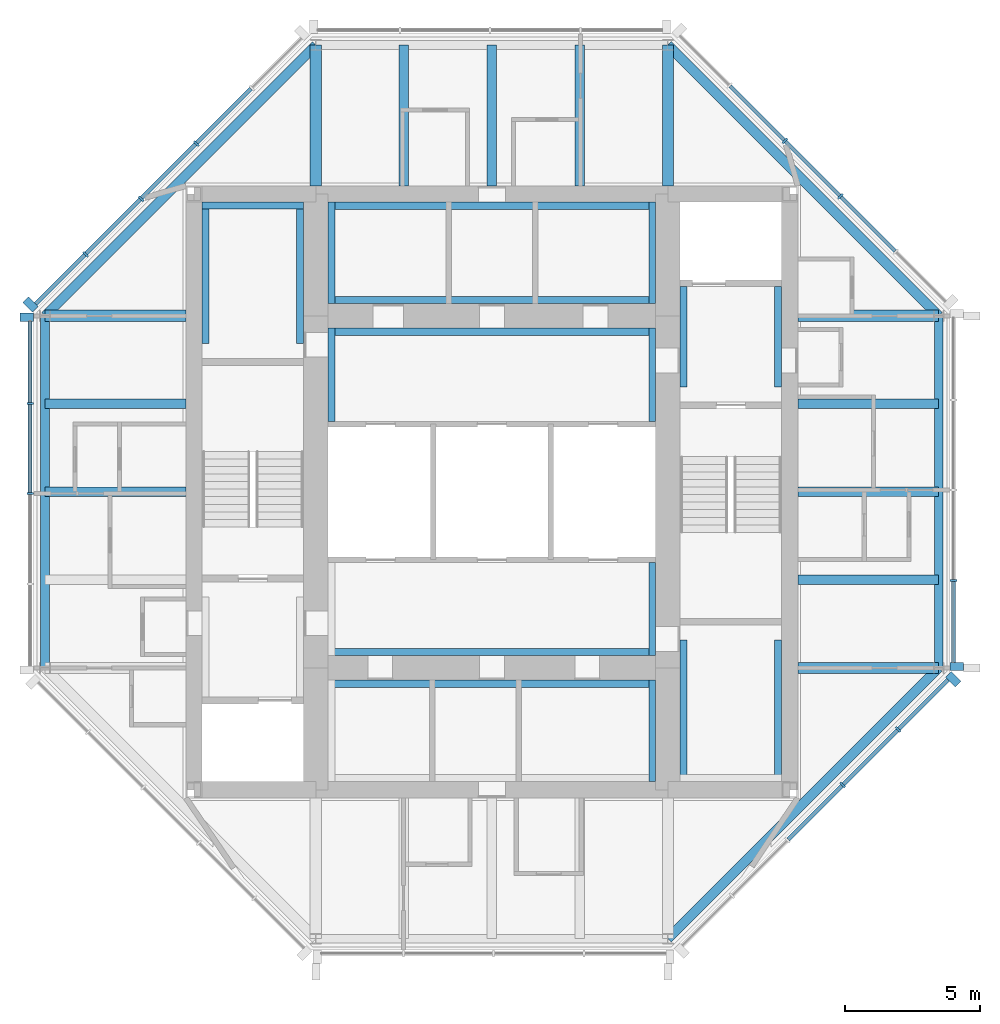
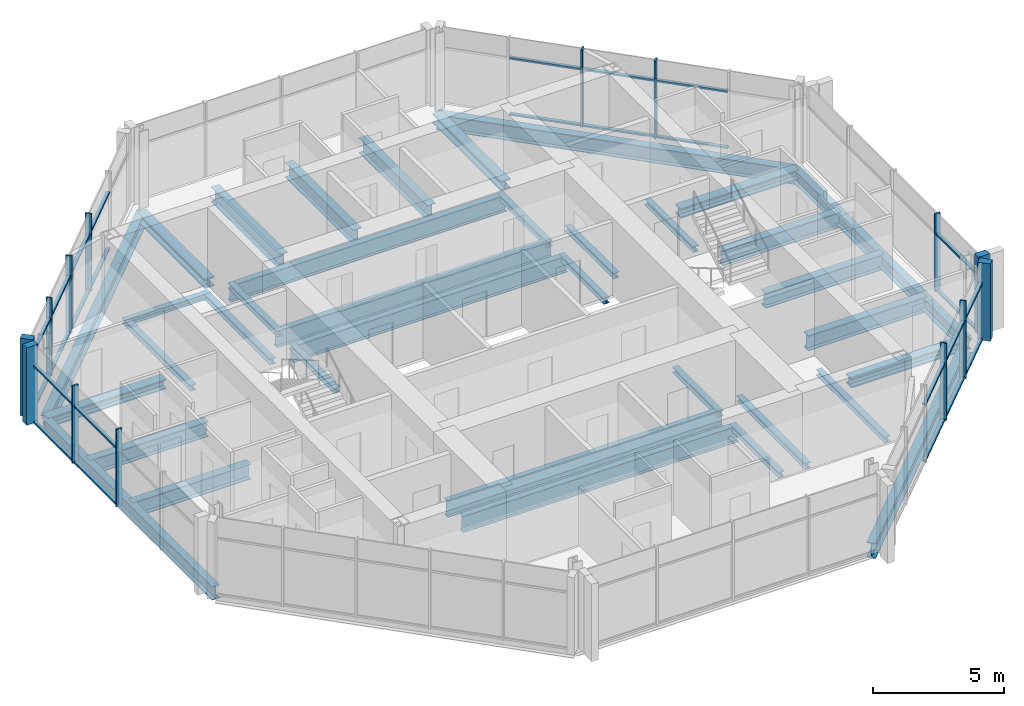
# One storey, part 2 of 9: 40 members, 36 beams, 5 elements without a shape of their own.
"""IFC4 building model written with IfcOpenShell, lengths in metres."""

from ifc_helpers import new_model, si_unit, direction, frame, origin, origin_2d, place, context, subcontext, project, spatial, rectangle, i_section, extrude, material, material_profile, profile_set, type_object, element, aggregate, save


model = new_model("IFC4")

# Units and contexts
model_context = context("Model", 3, precision=1e-05, world=origin(), true_north=direction((0.0, 1.0)))
body_context = subcontext(model_context, "Body", "Model", "MODEL_VIEW")
ifc_project = project(units=[si_unit("LENGTHUNIT", "METRE"), si_unit("AREAUNIT", "SQUARE_METRE"), si_unit("VOLUMEUNIT", "CUBIC_METRE"), si_unit("PLANEANGLEUNIT", "RADIAN"), si_unit("MASSUNIT", "GRAM", prefix="KILO")], contexts=[model_context])

# Site, building, storey
site_placement = place(None, origin())
site = spatial("IfcSite", under=ifc_project, at=site_placement, CompositionType="ELEMENT")
building_placement = place(site_placement, origin())
building = spatial("IfcBuilding", under=site, at=building_placement, Name="Trevanion Tower", CompositionType="ELEMENT")
storey_placement = place(building_placement, frame((0.0, 0.0, 284.800048828125)))
storey = spatial("IfcBuildingStorey", under=building, at=storey_placement, Name="L70", CompositionType="ELEMENT", Elevation=284.800048828125)

# Beams
ifc_material_1 = material(Name="Steel ASTM A992 Grade 50", Category="steel")
ifc_material_profile_1 = material_profile(ifc_material_1, i_section(OverallWidth=0.355712890625, OverallDepth=0.700927734375, WebThickness=0.016845703125, FlangeThickness=0.02734375, at=origin_2d()), Name="W27X161")
ifc_profile_set_1 = profile_set([ifc_material_profile_1], Name="Steel ASTM A992 Grade 50")
beam_type_1 = type_object("IfcBeamType", Name="B15 W27X161", PredefinedType="BEAM", material=ifc_profile_set_1)
for number, where, z_axis, x_axis, name in (
    (1, (11.300048828125, -3.25, -0.54052734375), (1.0, 0.0, 0.0), (0.0, 1.0, 0.0), "B15 L70"),
    (2, (11.300048828125, 0.0, -0.54052734375), (1.0, 0.0, 0.0), (0.0, 1.0, 0.0), "B15 L70"),
    (3, (11.300048828125, 3.25, -0.54052734375), (1.0, 0.0, 0.0), (0.0, 1.0, 0.0), "B15 L70"),
    (4, (3.25, 11.300048828125, -0.54052734375), (0.0, 1.0, 0.0), (-1.0, 0.0, 0.0), "B15 L70"),
    (5, (0.0, 11.300048828125, -0.54052734375), (0.0, 1.0, 0.0), (-1.0, 0.0, 0.0), "B15 L70"),
    (6, (-3.25, 11.300048828125, -0.54052734375), (0.0, 1.0, 0.0), (-1.0, 0.0, 0.0), "B15 L70"),
    (7, (-11.300048828125, 3.25, -0.54052734375), (-1.0, 0.0, 0.0), (0.0, -1.0, 0.0), "B15 L70"),
    (8, (-11.300048828125, 0.0, -0.54052734375), (-1.0, 0.0, 0.0), (0.0, -1.0, 0.0), "B15 L70"),
):
    element("IfcBeam", number, at=place(storey_placement, frame(where, z_axis=z_axis, x_axis=x_axis)), inside=storey, type_object=beam_type_1, Name=name, PredefinedType="BEAM", context=body_context, shape_type="SweptSolid", body=[
        extrude(i_section(OverallWidth=0.355712890625, OverallDepth=0.700927734375, WebThickness=0.016845703125, FlangeThickness=0.02734375, at=origin_2d()), origin(), (0.0, 0.0, 1.0), 5.199951171875),
    ])

# Curtain wall, member
ifc_material_2 = material(Name="Aluminium and glass", Category="aluminium")
curtain_wall_type = type_object("IfcCurtainWallType", Name="CW4 curtain wall", PredefinedType="USERDEFINED", material=ifc_material_2)
curtain_wall_1_placement = place(storey_placement, origin())
curtain_wall_1 = element("IfcCurtainWall", 9, at=curtain_wall_1_placement, inside=storey, type_object=curtain_wall_type, Name="CW4 L70 0", ObjectType="UNITISED CURTAIN WALL", PredefinedType="USERDEFINED")
ifc_material_3 = material(Name="Aluminium extrusion, anodised bronze", Category="aluminium")
ifc_material_profile_2 = material_profile(ifc_material_3, rectangle(XDim=0.074951171875, YDim=0.25, at=origin_2d()), Name="CW4 mullion")
ifc_profile_set_2 = profile_set([ifc_material_profile_2], Name="Aluminium extrusion, anodised bronze")
member_type_1 = type_object("IfcMemberType", Name="CW4 mullion", PredefinedType="MULLION", material=ifc_profile_set_2)
member_1_placement = place(storey_placement, frame((17.050048828125, -3.266357421875, -0.18994140625), z_axis=(0.0, 0.0, 1.0), x_axis=(0.0, 1.0, 0.0)))
member_1 = element("IfcMember", 10, at=member_1_placement, type_object=member_type_1, Name="CW4 mullion 2", PredefinedType="MULLION", context=body_context, shape_type="SweptSolid", body=[
    extrude(rectangle(XDim=0.074951171875, YDim=0.25, at=origin_2d()), origin(), (0.0, 0.0, 1.0), 3.599853515625),
])

# Curtain wall, members
curtain_wall_2_placement = place(storey_placement, origin())
curtain_wall_2 = element("IfcCurtainWall", 11, at=curtain_wall_2_placement, inside=storey, type_object=curtain_wall_type, Name="CW4 L70 1", ObjectType="UNITISED CURTAIN WALL", PredefinedType="USERDEFINED")
member_2_placement = place(storey_placement, frame((12.865966796875, 10.911865234375, -0.18994140625), z_axis=(0.0, 0.0, 1.0), x_axis=(-0.707106781187, 0.707106781187, 0.0)))
member_2 = element("IfcMember", 12, at=member_2_placement, type_object=member_type_1, Name="CW4 mullion 3", PredefinedType="MULLION", context=body_context, shape_type="SweptSolid", body=[
    extrude(rectangle(XDim=0.074951171875, YDim=0.25, at=origin_2d()), origin(), (0.0, 0.0, 1.0), 3.599853515625),
])
member_3_placement = place(storey_placement, frame((10.81982421875, 12.9580078125, -0.18994140625), z_axis=(0.0, 0.0, 1.0), x_axis=(-0.707106781187, 0.707106781187, 0.0)))
member_3 = element("IfcMember", 13, at=member_3_placement, type_object=member_type_1, Name="CW4 mullion 4", PredefinedType="MULLION", context=body_context, shape_type="SweptSolid", body=[
    extrude(rectangle(XDim=0.074951171875, YDim=0.25, at=origin_2d()), origin(), (0.0, 0.0, 1.0), 3.599853515625),
])

curtain_wall_3_placement = place(storey_placement, origin())
curtain_wall_3 = element("IfcCurtainWall", 14, at=curtain_wall_3_placement, inside=storey, type_object=curtain_wall_type, Name="CW4 L70 3", ObjectType="UNITISED CURTAIN WALL", PredefinedType="USERDEFINED")
member_4_placement = place(storey_placement, frame((-10.911865234375, 12.865966796875, -0.18994140625), z_axis=(0.0, 0.0, 1.0), x_axis=(-0.707106781187, -0.707106781187, 0.0)))
member_4 = element("IfcMember", 15, at=member_4_placement, type_object=member_type_1, Name="CW4 mullion 3", PredefinedType="MULLION", context=body_context, shape_type="SweptSolid", body=[
    extrude(rectangle(XDim=0.074951171875, YDim=0.25, at=origin_2d()), origin(), (0.0, 0.0, 1.0), 3.599853515625),
])
member_5_placement = place(storey_placement, frame((-12.9580078125, 10.81982421875, -0.18994140625), z_axis=(0.0, 0.0, 1.0), x_axis=(-0.707106781187, -0.707106781187, 0.0)))
member_5 = element("IfcMember", 16, at=member_5_placement, type_object=member_type_1, Name="CW4 mullion 4", PredefinedType="MULLION", context=body_context, shape_type="SweptSolid", body=[
    extrude(rectangle(XDim=0.074951171875, YDim=0.25, at=origin_2d()), origin(), (0.0, 0.0, 1.0), 3.599853515625),
])
member_6_placement = place(storey_placement, frame((-15.00390625, 8.77392578125, -0.18994140625), z_axis=(0.0, 0.0, 1.0), x_axis=(-0.707106781187, -0.707106781187, 0.0)))
member_6 = element("IfcMember", 17, at=member_6_placement, type_object=member_type_1, Name="CW4 mullion 5", PredefinedType="MULLION", context=body_context, shape_type="SweptSolid", body=[
    extrude(rectangle(XDim=0.074951171875, YDim=0.25, at=origin_2d()), origin(), (0.0, 0.0, 1.0), 3.599853515625),
])

curtain_wall_4_placement = place(storey_placement, origin())
curtain_wall_4 = element("IfcCurtainWall", 18, at=curtain_wall_4_placement, inside=storey, type_object=curtain_wall_type, Name="CW4 L70 4", ObjectType="UNITISED CURTAIN WALL", PredefinedType="USERDEFINED")
member_7_placement = place(storey_placement, frame((-17.050048828125, 3.266357421875, -0.18994140625), z_axis=(0.0, 0.0, 1.0), x_axis=(0.0, -1.0, 0.0)))
member_7 = element("IfcMember", 19, at=member_7_placement, type_object=member_type_1, Name="CW4 mullion 2", PredefinedType="MULLION", context=body_context, shape_type="SweptSolid", body=[
    extrude(rectangle(XDim=0.074951171875, YDim=0.25, at=origin_2d()), origin(), (0.0, 0.0, 1.0), 3.599853515625),
])
member_8_placement = place(storey_placement, frame((-17.050048828125, -0.06494140625, -0.18994140625), z_axis=(0.0, 0.0, 1.0), x_axis=(0.0, -1.0, 0.0)))
member_8 = element("IfcMember", 20, at=member_8_placement, type_object=member_type_1, Name="CW4 mullion 3", PredefinedType="MULLION", context=body_context, shape_type="SweptSolid", body=[
    extrude(rectangle(XDim=0.074951171875, YDim=0.25, at=origin_2d()), origin(), (0.0, 0.0, 1.0), 3.599853515625),
])

curtain_wall_5_placement = place(storey_placement, origin())
curtain_wall_5 = element("IfcCurtainWall", 21, at=curtain_wall_5_placement, inside=storey, type_object=curtain_wall_type, Name="CW4 L70 7", ObjectType="UNITISED CURTAIN WALL", PredefinedType="USERDEFINED")
member_9_placement = place(storey_placement, frame((12.9580078125, -10.81982421875, -0.18994140625), z_axis=(0.0, 0.0, 1.0), x_axis=(0.707106781187, 0.707106781187, 0.0)))
member_9 = element("IfcMember", 22, at=member_9_placement, type_object=member_type_1, Name="CW4 mullion 4", PredefinedType="MULLION", context=body_context, shape_type="SweptSolid", body=[
    extrude(rectangle(XDim=0.074951171875, YDim=0.25, at=origin_2d()), origin(), (0.0, 0.0, 1.0), 3.599853515625),
])
member_10_placement = place(storey_placement, frame((15.00390625, -8.77392578125, -0.18994140625), z_axis=(0.0, 0.0, 1.0), x_axis=(0.707106781187, 0.707106781187, 0.0)))
member_10 = element("IfcMember", 23, at=member_10_placement, type_object=member_type_1, Name="CW4 mullion 5", PredefinedType="MULLION", context=body_context, shape_type="SweptSolid", body=[
    extrude(rectangle(XDim=0.074951171875, YDim=0.25, at=origin_2d()), origin(), (0.0, 0.0, 1.0), 3.599853515625),
])

# Member
ifc_material_4 = material(Name="Aluminium extrusion, anodised bronze", Category="aluminium")
ifc_material_profile_3 = material_profile(ifc_material_4, rectangle(XDim=0.300048828125, YDim=0.5, at=origin_2d()), Name="CW4 pier mullion")
ifc_profile_set_3 = profile_set([ifc_material_profile_3], Name="Aluminium extrusion, anodised bronze")
member_type_2 = type_object("IfcMemberType", Name="CW4 pier mullion", PredefinedType="MULLION", material=ifc_profile_set_3)
member_11_placement = place(storey_placement, frame((17.175048828125, -6.44775390625, -0.18994140625), z_axis=(0.0, 0.0, 1.0), x_axis=(0.0, 1.0, 0.0)))
member_11 = element("IfcMember", 24, at=member_11_placement, type_object=member_type_2, Name="CW4 pier mullion 1", PredefinedType="MULLION", context=body_context, shape_type="SweptSolid", body=[
    extrude(rectangle(XDim=0.300048828125, YDim=0.5, at=origin_2d()), origin(), (0.0, 0.0, 1.0), 3.599853515625),
])

member_12_placement = place(storey_placement, frame((-17.0322265625, 6.92236328125, -0.18994140625), z_axis=(0.0, 0.0, 1.0), x_axis=(-0.707106781187, -0.707106781187, 0.0)))
member_12 = element("IfcMember", 25, at=member_12_placement, type_object=member_type_2, Name="CW4 pier mullion 6", PredefinedType="MULLION", context=body_context, shape_type="SweptSolid", body=[
    extrude(rectangle(XDim=0.300048828125, YDim=0.5, at=origin_2d()), origin(), (0.0, 0.0, 1.0), 3.599853515625),
])

member_13_placement = place(storey_placement, frame((-17.175048828125, 6.44775390625, -0.18994140625), z_axis=(0.0, 0.0, 1.0), x_axis=(0.0, -1.0, 0.0)))
member_13 = element("IfcMember", 26, at=member_13_placement, type_object=member_type_2, Name="CW4 pier mullion 1", PredefinedType="MULLION", context=body_context, shape_type="SweptSolid", body=[
    extrude(rectangle(XDim=0.300048828125, YDim=0.5, at=origin_2d()), origin(), (0.0, 0.0, 1.0), 3.599853515625),
])

member_14_placement = place(storey_placement, frame((17.0322265625, -6.92236328125, -0.18994140625), z_axis=(0.0, 0.0, 1.0), x_axis=(0.707106781187, 0.707106781187, 0.0)))
member_14 = element("IfcMember", 27, at=member_14_placement, type_object=member_type_2, Name="CW4 pier mullion 6", PredefinedType="MULLION", context=body_context, shape_type="SweptSolid", body=[
    extrude(rectangle(XDim=0.300048828125, YDim=0.5, at=origin_2d()), origin(), (0.0, 0.0, 1.0), 3.599853515625),
])

ifc_material_5 = material(Name="Aluminium extrusion, anodised bronze", Category="aluminium")
ifc_material_profile_4 = material_profile(ifc_material_5, rectangle(XDim=0.14990234375, YDim=0.074951171875, at=origin_2d()), Name="CW4 transom")
ifc_profile_set_4 = profile_set([ifc_material_profile_4], Name="Aluminium extrusion, anodised bronze")
member_type_3 = type_object("IfcMemberType", Name="CW4 transom", PredefinedType="USERDEFINED", material=ifc_profile_set_4)
member_15_placement = place(storey_placement, frame((17.050048828125, -6.2978515625, -0.152587890625), z_axis=(0.0, 1.0, 0.0), x_axis=(-1.0, 0.0, 0.0)))
member_15 = element("IfcMember", 28, at=member_15_placement, type_object=member_type_3, Name="CW4 transom 1.1", ObjectType="TRANSOM", PredefinedType="USERDEFINED", context=body_context, shape_type="SweptSolid", body=[
    extrude(rectangle(XDim=0.14990234375, YDim=0.074951171875, at=origin_2d()), origin(), (0.0, 0.0, 1.0), 2.993896484375),
])

member_16_placement = place(storey_placement, frame((17.050048828125, -6.2978515625, 2.4599609375), z_axis=(0.0, 1.0, 0.0), x_axis=(-1.0, 0.0, 0.0)))
member_16 = element("IfcMember", 29, at=member_16_placement, type_object=member_type_3, Name="CW4 transom 1.2", ObjectType="TRANSOM", PredefinedType="USERDEFINED", context=body_context, shape_type="SweptSolid", body=[
    extrude(rectangle(XDim=0.14990234375, YDim=0.074951171875, at=origin_2d()), origin(), (0.0, 0.0, 1.0), 2.993896484375),
])

aggregate(curtain_wall_1, [member_11, member_1, member_15, member_16])

member_17_placement = place(storey_placement, frame((14.885498046875, 8.892333984375, -0.152587890625), z_axis=(-0.707106781187, 0.707106781187, 0.0), x_axis=(-0.707106781187, -0.707106781187, 0.0)))
member_17 = element("IfcMember", 30, at=member_17_placement, type_object=member_type_3, Name="CW4 transom 2.1", ObjectType="TRANSOM", PredefinedType="USERDEFINED", context=body_context, shape_type="SweptSolid", body=[
    extrude(rectangle(XDim=0.14990234375, YDim=0.074951171875, at=origin_2d()), origin(), (0.0, 0.0, 1.0), 2.818359375),
])

member_18_placement = place(storey_placement, frame((14.885498046875, 8.892333984375, 2.4599609375), z_axis=(-0.707106781187, 0.707106781187, 0.0), x_axis=(-0.707106781187, -0.707106781187, 0.0)))
member_18 = element("IfcMember", 31, at=member_18_placement, type_object=member_type_3, Name="CW4 transom 2.2", ObjectType="TRANSOM", PredefinedType="USERDEFINED", context=body_context, shape_type="SweptSolid", body=[
    extrude(rectangle(XDim=0.14990234375, YDim=0.074951171875, at=origin_2d()), origin(), (0.0, 0.0, 1.0), 2.818359375),
])

member_19_placement = place(storey_placement, frame((12.839599609375, 10.9384765625, -0.152587890625), z_axis=(-0.707150088905, 0.707063470815, 0.0), x_axis=(-0.707063470815, -0.707150088905, 0.0)))
member_19 = element("IfcMember", 32, at=member_19_placement, type_object=member_type_3, Name="CW4 transom 3.1", ObjectType="TRANSOM", PredefinedType="USERDEFINED", context=body_context, shape_type="SweptSolid", body=[
    extrude(rectangle(XDim=0.14990234375, YDim=0.074951171875, at=origin_2d()), origin(), (0.0, 0.0, 1.0), 2.818603515625),
])

member_20_placement = place(storey_placement, frame((12.839599609375, 10.9384765625, 2.4599609375), z_axis=(-0.707150088905, 0.707063470815, 0.0), x_axis=(-0.707063470815, -0.707150088905, 0.0)))
member_20 = element("IfcMember", 33, at=member_20_placement, type_object=member_type_3, Name="CW4 transom 3.2", ObjectType="TRANSOM", PredefinedType="USERDEFINED", context=body_context, shape_type="SweptSolid", body=[
    extrude(rectangle(XDim=0.14990234375, YDim=0.074951171875, at=origin_2d()), origin(), (0.0, 0.0, 1.0), 2.818603515625),
])

member_21_placement = place(storey_placement, frame((10.79345703125, 12.984375, -0.152587890625), z_axis=(-0.707150088905, 0.707063470815, 0.0), x_axis=(-0.707063470815, -0.707150088905, 0.0)))
member_21 = element("IfcMember", 34, at=member_21_placement, type_object=member_type_3, Name="CW4 transom 4.1", ObjectType="TRANSOM", PredefinedType="USERDEFINED", context=body_context, shape_type="SweptSolid", body=[
    extrude(rectangle(XDim=0.14990234375, YDim=0.074951171875, at=origin_2d()), origin(), (0.0, 0.0, 1.0), 2.818603515625),
])

member_22_placement = place(storey_placement, frame((10.79345703125, 12.984375, 2.4599609375), z_axis=(-0.707150088905, 0.707063470815, 0.0), x_axis=(-0.707063470815, -0.707150088905, 0.0)))
member_22 = element("IfcMember", 35, at=member_22_placement, type_object=member_type_3, Name="CW4 transom 4.2", ObjectType="TRANSOM", PredefinedType="USERDEFINED", context=body_context, shape_type="SweptSolid", body=[
    extrude(rectangle(XDim=0.14990234375, YDim=0.074951171875, at=origin_2d()), origin(), (0.0, 0.0, 1.0), 2.818603515625),
])

aggregate(curtain_wall_2, [member_2, member_3, member_17, member_18, member_19, member_20, member_21, member_22])

member_23_placement = place(storey_placement, frame((-8.892333984375, 14.885498046875, -0.152587890625), z_axis=(-0.707106781187, -0.707106781187, 0.0), x_axis=(0.707106781187, -0.707106781187, 0.0)))
member_23 = element("IfcMember", 36, at=member_23_placement, type_object=member_type_3, Name="CW4 transom 2.1", ObjectType="TRANSOM", PredefinedType="USERDEFINED", context=body_context, shape_type="SweptSolid", body=[
    extrude(rectangle(XDim=0.14990234375, YDim=0.074951171875, at=origin_2d()), origin(), (0.0, 0.0, 1.0), 2.818359375),
])

member_24_placement = place(storey_placement, frame((-8.892333984375, 14.885498046875, 2.4599609375), z_axis=(-0.707106781187, -0.707106781187, 0.0), x_axis=(0.707106781187, -0.707106781187, 0.0)))
member_24 = element("IfcMember", 37, at=member_24_placement, type_object=member_type_3, Name="CW4 transom 2.2", ObjectType="TRANSOM", PredefinedType="USERDEFINED", context=body_context, shape_type="SweptSolid", body=[
    extrude(rectangle(XDim=0.14990234375, YDim=0.074951171875, at=origin_2d()), origin(), (0.0, 0.0, 1.0), 2.818359375),
])

member_25_placement = place(storey_placement, frame((-10.9384765625, 12.839599609375, -0.152587890625), z_axis=(-0.707063470815, -0.707150088905, 0.0), x_axis=(0.707150088905, -0.707063470815, 0.0)))
member_25 = element("IfcMember", 38, at=member_25_placement, type_object=member_type_3, Name="CW4 transom 3.1", ObjectType="TRANSOM", PredefinedType="USERDEFINED", context=body_context, shape_type="SweptSolid", body=[
    extrude(rectangle(XDim=0.14990234375, YDim=0.074951171875, at=origin_2d()), origin(), (0.0, 0.0, 1.0), 2.818603515625),
])

member_26_placement = place(storey_placement, frame((-10.9384765625, 12.839599609375, 2.4599609375), z_axis=(-0.707063470815, -0.707150088905, 0.0), x_axis=(0.707150088905, -0.707063470815, 0.0)))
member_26 = element("IfcMember", 39, at=member_26_placement, type_object=member_type_3, Name="CW4 transom 3.2", ObjectType="TRANSOM", PredefinedType="USERDEFINED", context=body_context, shape_type="SweptSolid", body=[
    extrude(rectangle(XDim=0.14990234375, YDim=0.074951171875, at=origin_2d()), origin(), (0.0, 0.0, 1.0), 2.818603515625),
])

member_27_placement = place(storey_placement, frame((-12.984375, 10.79345703125, -0.152587890625), z_axis=(-0.707063470815, -0.707150088905, 0.0), x_axis=(0.707150088905, -0.707063470815, 0.0)))
member_27 = element("IfcMember", 40, at=member_27_placement, type_object=member_type_3, Name="CW4 transom 4.1", ObjectType="TRANSOM", PredefinedType="USERDEFINED", context=body_context, shape_type="SweptSolid", body=[
    extrude(rectangle(XDim=0.14990234375, YDim=0.074951171875, at=origin_2d()), origin(), (0.0, 0.0, 1.0), 2.818603515625),
])

member_28_placement = place(storey_placement, frame((-12.984375, 10.79345703125, 2.4599609375), z_axis=(-0.707063470815, -0.707150088905, 0.0), x_axis=(0.707150088905, -0.707063470815, 0.0)))
member_28 = element("IfcMember", 41, at=member_28_placement, type_object=member_type_3, Name="CW4 transom 4.2", ObjectType="TRANSOM", PredefinedType="USERDEFINED", context=body_context, shape_type="SweptSolid", body=[
    extrude(rectangle(XDim=0.14990234375, YDim=0.074951171875, at=origin_2d()), origin(), (0.0, 0.0, 1.0), 2.818603515625),
])

member_29_placement = place(storey_placement, frame((-15.030517578125, 8.747314453125, -0.152587890625), z_axis=(-0.707106781187, -0.707106781187, 0.0), x_axis=(0.707106781187, -0.707106781187, 0.0)))
member_29 = element("IfcMember", 42, at=member_29_placement, type_object=member_type_3, Name="CW4 transom 5.1", ObjectType="TRANSOM", PredefinedType="USERDEFINED", context=body_context, shape_type="SweptSolid", body=[
    extrude(rectangle(XDim=0.14990234375, YDim=0.074951171875, at=origin_2d()), origin(), (0.0, 0.0, 1.0), 2.555908203125),
])

member_30_placement = place(storey_placement, frame((-15.030517578125, 8.747314453125, 2.4599609375), z_axis=(-0.707106781187, -0.707106781187, 0.0), x_axis=(0.707106781187, -0.707106781187, 0.0)))
member_30 = element("IfcMember", 43, at=member_30_placement, type_object=member_type_3, Name="CW4 transom 5.2", ObjectType="TRANSOM", PredefinedType="USERDEFINED", context=body_context, shape_type="SweptSolid", body=[
    extrude(rectangle(XDim=0.14990234375, YDim=0.074951171875, at=origin_2d()), origin(), (0.0, 0.0, 1.0), 2.555908203125),
])

aggregate(curtain_wall_3, [member_4, member_5, member_6, member_12, member_23, member_24, member_25, member_26, member_27, member_28, member_29, member_30])

member_31_placement = place(storey_placement, frame((-17.050048828125, 6.2978515625, -0.152587890625), z_axis=(0.0, -1.0, 0.0), x_axis=(1.0, 0.0, 0.0)))
member_31 = element("IfcMember", 44, at=member_31_placement, type_object=member_type_3, Name="CW4 transom 1.1", ObjectType="TRANSOM", PredefinedType="USERDEFINED", context=body_context, shape_type="SweptSolid", body=[
    extrude(rectangle(XDim=0.14990234375, YDim=0.074951171875, at=origin_2d()), origin(), (0.0, 0.0, 1.0), 2.993896484375),
])

member_32_placement = place(storey_placement, frame((-17.050048828125, 6.2978515625, 2.4599609375), z_axis=(0.0, -1.0, 0.0), x_axis=(1.0, 0.0, 0.0)))
member_32 = element("IfcMember", 45, at=member_32_placement, type_object=member_type_3, Name="CW4 transom 1.2", ObjectType="TRANSOM", PredefinedType="USERDEFINED", context=body_context, shape_type="SweptSolid", body=[
    extrude(rectangle(XDim=0.14990234375, YDim=0.074951171875, at=origin_2d()), origin(), (0.0, 0.0, 1.0), 2.993896484375),
])

member_33_placement = place(storey_placement, frame((-17.050048828125, 3.22900390625, -0.152587890625), z_axis=(0.0, -1.0, 0.0), x_axis=(1.0, 0.0, 0.0)))
member_33 = element("IfcMember", 46, at=member_33_placement, type_object=member_type_3, Name="CW4 transom 2.1", ObjectType="TRANSOM", PredefinedType="USERDEFINED", context=body_context, shape_type="SweptSolid", body=[
    extrude(rectangle(XDim=0.14990234375, YDim=0.074951171875, at=origin_2d()), origin(), (0.0, 0.0, 1.0), 3.256591796875),
])

member_34_placement = place(storey_placement, frame((-17.050048828125, 3.22900390625, 2.4599609375), z_axis=(0.0, -1.0, 0.0), x_axis=(1.0, 0.0, 0.0)))
member_34 = element("IfcMember", 47, at=member_34_placement, type_object=member_type_3, Name="CW4 transom 2.2", ObjectType="TRANSOM", PredefinedType="USERDEFINED", context=body_context, shape_type="SweptSolid", body=[
    extrude(rectangle(XDim=0.14990234375, YDim=0.074951171875, at=origin_2d()), origin(), (0.0, 0.0, 1.0), 3.256591796875),
])

aggregate(curtain_wall_4, [member_13, member_7, member_8, member_31, member_32, member_33, member_34])

member_35_placement = place(storey_placement, frame((10.9384765625, -12.839599609375, -0.152587890625), z_axis=(0.707063470815, 0.707150088905, 0.0), x_axis=(-0.707150088905, 0.707063470815, 0.0)))
member_35 = element("IfcMember", 48, at=member_35_placement, type_object=member_type_3, Name="CW4 transom 3.1", ObjectType="TRANSOM", PredefinedType="USERDEFINED", context=body_context, shape_type="SweptSolid", body=[
    extrude(rectangle(XDim=0.14990234375, YDim=0.074951171875, at=origin_2d()), origin(), (0.0, 0.0, 1.0), 2.818603515625),
])

member_36_placement = place(storey_placement, frame((10.9384765625, -12.839599609375, 2.4599609375), z_axis=(0.707063470815, 0.707150088905, 0.0), x_axis=(-0.707150088905, 0.707063470815, 0.0)))
member_36 = element("IfcMember", 49, at=member_36_placement, type_object=member_type_3, Name="CW4 transom 3.2", ObjectType="TRANSOM", PredefinedType="USERDEFINED", context=body_context, shape_type="SweptSolid", body=[
    extrude(rectangle(XDim=0.14990234375, YDim=0.074951171875, at=origin_2d()), origin(), (0.0, 0.0, 1.0), 2.818603515625),
])

member_37_placement = place(storey_placement, frame((12.984375, -10.79345703125, -0.152587890625), z_axis=(0.707063470815, 0.707150088905, 0.0), x_axis=(-0.707150088905, 0.707063470815, 0.0)))
member_37 = element("IfcMember", 50, at=member_37_placement, type_object=member_type_3, Name="CW4 transom 4.1", ObjectType="TRANSOM", PredefinedType="USERDEFINED", context=body_context, shape_type="SweptSolid", body=[
    extrude(rectangle(XDim=0.14990234375, YDim=0.074951171875, at=origin_2d()), origin(), (0.0, 0.0, 1.0), 2.818603515625),
])

member_38_placement = place(storey_placement, frame((12.984375, -10.79345703125, 2.4599609375), z_axis=(0.707063470815, 0.707150088905, 0.0), x_axis=(-0.707150088905, 0.707063470815, 0.0)))
member_38 = element("IfcMember", 51, at=member_38_placement, type_object=member_type_3, Name="CW4 transom 4.2", ObjectType="TRANSOM", PredefinedType="USERDEFINED", context=body_context, shape_type="SweptSolid", body=[
    extrude(rectangle(XDim=0.14990234375, YDim=0.074951171875, at=origin_2d()), origin(), (0.0, 0.0, 1.0), 2.818603515625),
])

member_39_placement = place(storey_placement, frame((15.030517578125, -8.747314453125, -0.152587890625), z_axis=(0.707106781187, 0.707106781187, 0.0), x_axis=(-0.707106781187, 0.707106781187, 0.0)))
member_39 = element("IfcMember", 52, at=member_39_placement, type_object=member_type_3, Name="CW4 transom 5.1", ObjectType="TRANSOM", PredefinedType="USERDEFINED", context=body_context, shape_type="SweptSolid", body=[
    extrude(rectangle(XDim=0.14990234375, YDim=0.074951171875, at=origin_2d()), origin(), (0.0, 0.0, 1.0), 2.555908203125),
])

member_40_placement = place(storey_placement, frame((15.030517578125, -8.747314453125, 2.4599609375), z_axis=(0.707106781187, 0.707106781187, 0.0), x_axis=(-0.707106781187, 0.707106781187, 0.0)))
member_40 = element("IfcMember", 53, at=member_40_placement, type_object=member_type_3, Name="CW4 transom 5.2", ObjectType="TRANSOM", PredefinedType="USERDEFINED", context=body_context, shape_type="SweptSolid", body=[
    extrude(rectangle(XDim=0.14990234375, YDim=0.074951171875, at=origin_2d()), origin(), (0.0, 0.0, 1.0), 2.555908203125),
])

aggregate(curtain_wall_5, [member_9, member_10, member_14, member_35, member_36, member_37, member_38, member_39, member_40])

# Beams
ifc_material_6 = material(Name="Steel ASTM A992 Grade 50", Category="steel")
ifc_material_profile_5 = material_profile(ifc_material_6, i_section(OverallWidth=0.41650390625, OverallDepth=0.444580078125, WebThickness=0.0390625, FlangeThickness=0.062744140625, at=origin_2d()), Name="W14X342")
ifc_profile_set_5 = profile_set([ifc_material_profile_5], Name="Steel ASTM A992 Grade 50")
beam_type_2 = type_object("IfcBeamType", Name="G8 W14X342", PredefinedType="BEAM", material=ifc_profile_set_5)
for number, where, z_axis, x_axis, name in (
    (54, (11.300048828125, -6.5, -0.412353515625), (1.0, 0.0, 0.0), (0.0, 1.0, 0.0), "G8 L70"),
    (55, (11.300048828125, 6.5, -0.412353515625), (1.0, 0.0, 0.0), (0.0, 1.0, 0.0), "G8 L70"),
    (56, (6.5, 11.300048828125, -0.412353515625), (0.0, 1.0, 0.0), (-1.0, 0.0, 0.0), "G8 L70"),
    (57, (-6.5, 11.300048828125, -0.412353515625), (0.0, 1.0, 0.0), (-1.0, 0.0, 0.0), "G8 L70"),
    (58, (-11.300048828125, 6.5, -0.412353515625), (-1.0, 0.0, 0.0), (0.0, -1.0, 0.0), "G8 L70"),
):
    element("IfcBeam", number, at=place(storey_placement, frame(where, z_axis=z_axis, x_axis=x_axis)), inside=storey, type_object=beam_type_2, Name=name, PredefinedType="BEAM", context=body_context, shape_type="SweptSolid", body=[
        extrude(i_section(OverallWidth=0.41650390625, OverallDepth=0.444580078125, WebThickness=0.0390625, FlangeThickness=0.062744140625, at=origin_2d()), origin(), (0.0, 0.0, 1.0), 5.199951171875),
    ])
ifc_material_7 = material(Name="Steel ASTM A992 Grade 50", Category="steel")
ifc_material_profile_6 = material_profile(ifc_material_7, i_section(OverallWidth=0.256591796875, OverallDepth=0.26416015625, WebThickness=0.011962890625, FlangeThickness=0.01953125, at=origin_2d()), Name="W10X68")
ifc_profile_set_6 = profile_set([ifc_material_profile_6], Name="Steel ASTM A992 Grade 50")
beam_type_3 = type_object("IfcBeamType", Name="LB1 W10X68", PredefinedType="BEAM", material=ifc_profile_set_6)
for number, where, z_axis, x_axis, name in (
    (59, (-5.921630859375, 2.60009765625, -0.33203125), (0.0, 1.0, 0.0), (-1.0, 0.0, 0.0), "LB1 L70"),
    (60, (5.921630859375, 2.60009765625, -0.33203125), (0.0, 1.0, 0.0), (-1.0, 0.0, 0.0), "LB1 L70"),
    (61, (5.921630859375, -6.050048828125, -0.33203125), (0.0, 1.0, 0.0), (-1.0, 0.0, 0.0), "LB1 L70"),
):
    element("IfcBeam", number, at=place(storey_placement, frame(where, z_axis=z_axis, x_axis=x_axis)), inside=storey, type_object=beam_type_3, Name=name, PredefinedType="BEAM", context=body_context, shape_type="SweptSolid", body=[
        extrude(i_section(OverallWidth=0.256591796875, OverallDepth=0.26416015625, WebThickness=0.011962890625, FlangeThickness=0.01953125, at=origin_2d()), origin(), (0.0, 0.0, 1.0), 3.449951171875),
    ])
for number, where, z_axis, x_axis, name in (
    (62, (7.078369140625, 3.875, -0.33203125), (0.0, 1.0, 0.0), (-1.0, 0.0, 0.0), "LB1 L70"),
    (63, (10.57177734375, 3.875, -0.33203125), (0.0, 1.0, 0.0), (-1.0, 0.0, 0.0), "LB1 L70"),
):
    element("IfcBeam", number, at=place(storey_placement, frame(where, z_axis=z_axis, x_axis=x_axis)), inside=storey, type_object=beam_type_3, Name=name, PredefinedType="BEAM", context=body_context, shape_type="SweptSolid", body=[
        extrude(i_section(OverallWidth=0.256591796875, OverallDepth=0.26416015625, WebThickness=0.011962890625, FlangeThickness=0.01953125, at=origin_2d()), origin(), (0.0, 0.0, 1.0), 3.699951171875),
    ])
for number, where, z_axis, x_axis, name in (
    (64, (7.078369140625, -10.699951171875, -0.33203125), (0.0, 1.0, 0.0), (-1.0, 0.0, 0.0), "LB1 L70"),
    (65, (10.57177734375, -10.699951171875, -0.33203125), (0.0, 1.0, 0.0), (-1.0, 0.0, 0.0), "LB1 L70"),
    (66, (-10.57177734375, 5.47509765625, -0.33203125), (0.0, 1.0, 0.0), (-1.0, 0.0, 0.0), "LB1 L70"),
    (67, (-7.078369140625, 5.47509765625, -0.33203125), (0.0, 1.0, 0.0), (-1.0, 0.0, 0.0), "LB1 L70"),
):
    element("IfcBeam", number, at=place(storey_placement, frame(where, z_axis=z_axis, x_axis=x_axis)), inside=storey, type_object=beam_type_3, Name=name, PredefinedType="BEAM", context=body_context, shape_type="SweptSolid", body=[
        extrude(i_section(OverallWidth=0.256591796875, OverallDepth=0.26416015625, WebThickness=0.011962890625, FlangeThickness=0.01953125, at=origin_2d()), origin(), (0.0, 0.0, 1.0), 5.224853515625),
    ])
for number, where, z_axis, x_axis, name in (
    (68, (-10.699951171875, 10.57177734375, -0.33203125), (1.0, 0.0, 0.0), (0.0, 1.0, 0.0), "LB1 L70"),
    (69, (-5.921630859375, 6.949951171875, -0.33203125), (0.0, 1.0, 0.0), (-1.0, 0.0, 0.0), "LB1 L70"),
    (70, (5.921630859375, 6.949951171875, -0.33203125), (0.0, 1.0, 0.0), (-1.0, 0.0, 0.0), "LB1 L70"),
    (71, (5.921630859375, -10.699951171875, -0.33203125), (0.0, 1.0, 0.0), (-1.0, 0.0, 0.0), "LB1 L70"),
):
    element("IfcBeam", number, at=place(storey_placement, frame(where, z_axis=z_axis, x_axis=x_axis)), inside=storey, type_object=beam_type_3, Name=name, PredefinedType="BEAM", context=body_context, shape_type="SweptSolid", body=[
        extrude(i_section(OverallWidth=0.256591796875, OverallDepth=0.26416015625, WebThickness=0.011962890625, FlangeThickness=0.01953125, at=origin_2d()), origin(), (0.0, 0.0, 1.0), 3.75),
    ])
ifc_material_8 = material(Name="Steel ASTM A992 Grade 50", Category="steel")
ifc_material_profile_7 = material_profile(ifc_material_8, i_section(OverallWidth=0.2666015625, OverallDepth=0.76953125, WebThickness=0.015625, FlangeThickness=0.025390625, at=origin_2d()), Name="W30X132")
ifc_profile_set_7 = profile_set([ifc_material_profile_7], Name="Steel ASTM A992 Grade 50")
beam_type_4 = type_object("IfcBeamType", Name="LB3 W30X132", PredefinedType="BEAM", material=ifc_profile_set_7)
for number, where, z_axis, x_axis, name in (
    (72, (-6.050048828125, 5.91650390625, -0.5849609375), (1.0, 0.0, 0.0), (0.0, 1.0, 0.0), "LB3 L70"),
    (73, (-6.050048828125, -5.91650390625, -0.5849609375), (1.0, 0.0, 0.0), (0.0, 1.0, 0.0), "LB3 L70"),
    (74, (-6.050048828125, 7.08349609375, -0.5849609375), (1.0, 0.0, 0.0), (0.0, 1.0, 0.0), "LB3 L70"),
    (75, (-6.050048828125, 10.566650390625, -0.5849609375), (1.0, 0.0, 0.0), (0.0, 1.0, 0.0), "LB3 L70"),
    (76, (-6.050048828125, -7.08349609375, -0.5849609375), (1.0, 0.0, 0.0), (0.0, 1.0, 0.0), "LB3 L70"),
):
    element("IfcBeam", number, at=place(storey_placement, frame(where, z_axis=z_axis, x_axis=x_axis)), inside=storey, type_object=beam_type_4, Name=name, PredefinedType="BEAM", context=body_context, shape_type="SweptSolid", body=[
        extrude(i_section(OverallWidth=0.2666015625, OverallDepth=0.76953125, WebThickness=0.015625, FlangeThickness=0.025390625, at=origin_2d()), origin(), (0.0, 0.0, 1.0), 12.10009765625),
    ])
ifc_material_9 = material(Name="Steel ASTM A992 Grade 50", Category="steel")
ifc_material_profile_8 = material_profile(ifc_material_9, i_section(OverallWidth=0.32763671875, OverallDepth=0.622314453125, WebThickness=0.015380859375, FlangeThickness=0.0244140625, at=origin_2d()), Name="W24X131")
ifc_profile_set_8 = profile_set([ifc_material_profile_8], Name="Steel ASTM A992 Grade 50")
beam_type_5 = type_object("IfcBeamType", Name="SB12 W24X131", PredefinedType="SPANDREL", material=ifc_profile_set_8)
for number, where, z_axis, x_axis, name in (
    (77, (16.5, -6.5, -0.501220703125), (0.0, 1.0, 0.0), (-1.0, 0.0, 0.0), "SB12 L70"),
    (78, (-16.5, 6.5, -0.501220703125), (0.0, -1.0, 0.0), (1.0, 0.0, 0.0), "SB12 L70"),
):
    element("IfcBeam", number, at=place(storey_placement, frame(where, z_axis=z_axis, x_axis=x_axis)), inside=storey, type_object=beam_type_5, Name=name, PredefinedType="SPANDREL", context=body_context, shape_type="SweptSolid", body=[
        extrude(i_section(OverallWidth=0.32763671875, OverallDepth=0.622314453125, WebThickness=0.015380859375, FlangeThickness=0.0244140625, at=origin_2d()), origin(), (0.0, 0.0, 1.0), 13.0),
    ])
ifc_material_10 = material(Name="Steel ASTM A992 Grade 50", Category="steel")
ifc_material_profile_9 = material_profile(ifc_material_10, i_section(OverallWidth=0.358154296875, OverallDepth=0.7060546875, WebThickness=0.018310546875, FlangeThickness=0.0302734375, at=origin_2d()), Name="W27X178")
ifc_profile_set_9 = profile_set([ifc_material_profile_9], Name="Steel ASTM A992 Grade 50")
beam_type_6 = type_object("IfcBeamType", Name="SB13 W27X178", PredefinedType="SPANDREL", material=ifc_profile_set_9)
for number, where, z_axis, x_axis, name in (
    (79, (16.5, 6.5, -0.543212890625), (-0.707106781187, 0.707106781187, 0.0), (-0.707106781187, -0.707106781187, 0.0), "SB13 L70"),
    (80, (-6.5, 16.5, -0.543212890625), (-0.707106781187, -0.707106781187, 0.0), (0.707106781187, -0.707106781187, 0.0), "SB13 L70"),
    (81, (6.5, -16.5, -0.543212890625), (0.707106781187, 0.707106781187, 0.0), (-0.707106781187, 0.707106781187, 0.0), "SB13 L70"),
):
    element("IfcBeam", number, at=place(storey_placement, frame(where, z_axis=z_axis, x_axis=x_axis)), inside=storey, type_object=beam_type_6, Name=name, PredefinedType="SPANDREL", context=body_context, shape_type="SweptSolid", body=[
        extrude(i_section(OverallWidth=0.358154296875, OverallDepth=0.7060546875, WebThickness=0.018310546875, FlangeThickness=0.0302734375, at=origin_2d()), origin(), (0.0, 0.0, 1.0), 14.14208984375),
    ])

save(model, "model.ifc")
